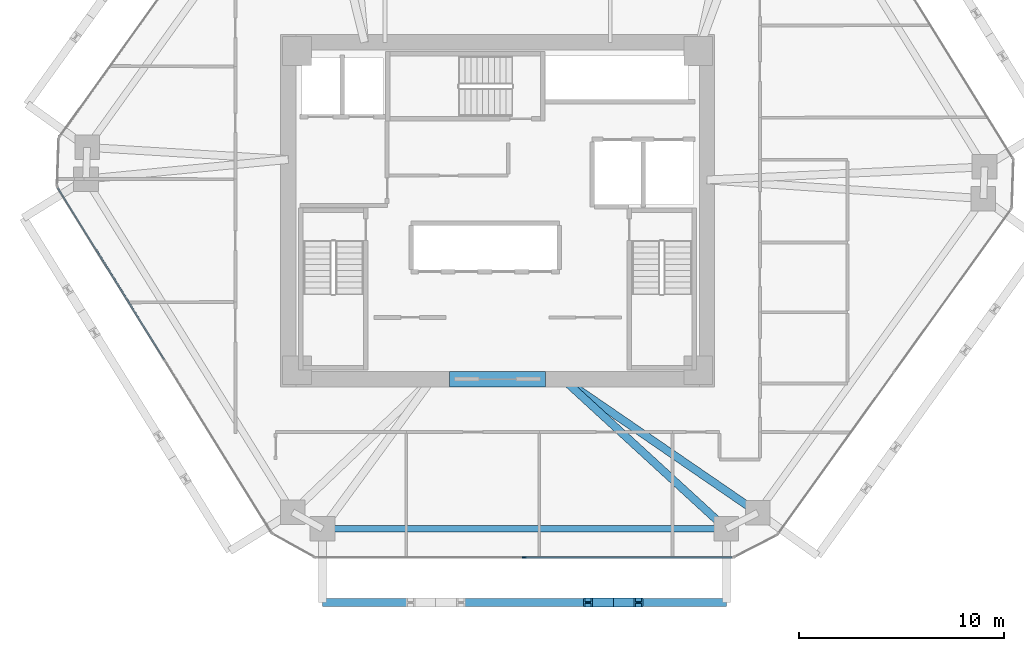
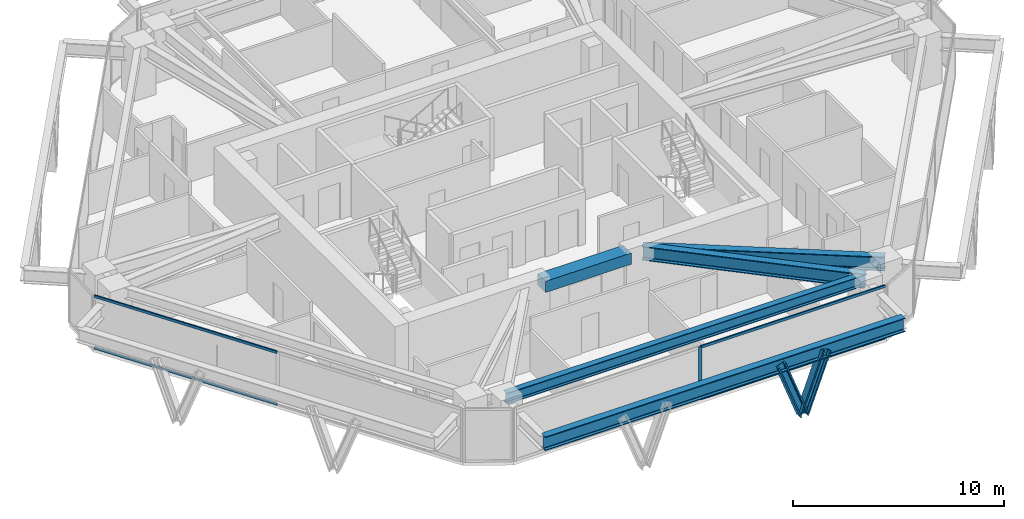
# One storey, part 3 of 14: 7 members, 5 beams, 2 elements without a shape of their own.
"""IFC4 building model written with IfcOpenShell, lengths in metres."""

from ifc_helpers import new_model, si_unit, direction, frame, origin, origin_2d, place, context, subcontext, project, spatial, rectangle, i_section, extrude, source, transform, mapped, material, layer, layer_set, material_profile, profile_set, type_object, type_shapes, element, aggregate, save


model = new_model("IFC4")

# Units and contexts
model_context = context("Model", 3, precision=1e-05, world=origin(), true_north=direction((0.0, 1.0)))
body_context = subcontext(model_context, "Body", "Model", "MODEL_VIEW")
ifc_project = project(units=[si_unit("LENGTHUNIT", "METRE"), si_unit("AREAUNIT", "SQUARE_METRE"), si_unit("VOLUMEUNIT", "CUBIC_METRE"), si_unit("PLANEANGLEUNIT", "RADIAN"), si_unit("MASSUNIT", "GRAM", prefix="KILO")], contexts=[model_context])

# Site, building, storey
site_placement = place(None, origin())
site = spatial("IfcSite", under=ifc_project, at=site_placement, CompositionType="ELEMENT")
building_placement = place(site_placement, origin())
building = spatial("IfcBuilding", under=site, at=building_placement, Name="Durnholm Broadcast Tower", CompositionType="ELEMENT")
storey_placement = place(building_placement, frame((0.0, 0.0, 114.0)))
storey = spatial("IfcBuildingStorey", under=building, at=storey_placement, Name="L30", CompositionType="ELEMENT", Elevation=114.0)

# Beams
ifc_material_1 = material(Name="Concrete C70/85", Category="concrete")
ifc_material_profile_1 = material_profile(ifc_material_1, rectangle(XDim=0.75, YDim=0.64990234375, at=origin_2d()), Name="RC750X650")
ifc_profile_set_1 = profile_set([ifc_material_profile_1], Name="Concrete C70/85")
beam_type_1 = type_object("IfcBeamType", Name="BM-CB-RC650", PredefinedType="LINTEL", material=ifc_profile_set_1)
shared_shape_1 = source(origin(), body_context, "Body", "SweptSolid", [
    extrude(rectangle(XDim=0.75, YDim=0.64990234375, at=origin_2d()), origin(), (0.0, 0.0, 1.0), 4.7001953125),
])
type_shapes(beam_type_1, [shared_shape_1])
beam_1_placement = place(storey_placement, frame((-2.35009765625, -8.22509765625, 2.72998046875), z_axis=(1.0, 0.0, 0.0), x_axis=(0.0, 1.0, 0.0)))
element("IfcBeam", 1, at=beam_1_placement, inside=storey, type_object=beam_type_1, Name="L30 south core coupling lintel beam CB-S", PredefinedType="LINTEL", context=body_context, shape_type="MappedRepresentation", body=[
    mapped(shared_shape_1, transform((0.0, 0.0, 0.0), x_axis=(1.0, 0.0, 0.0), y_axis=(0.0, 1.0, 0.0), z_axis=(0.0, 0.0, 1.0), scale=1.0)),
])
ifc_material_2 = material(Name="Steel ASTM A992 Grade 50", Category="steel")
ifc_material_profile_2 = material_profile(ifc_material_2, i_section(OverallWidth=0.3291015625, OverallDepth=0.635009765625, WebThickness=0.017822265625, FlangeThickness=0.031005859375, FilletRadius=0.02783203125, at=origin_2d()), Name="W24X162")
ifc_profile_set_2 = profile_set([ifc_material_profile_2], Name="Steel ASTM A992 Grade 50")
beam_type_2 = type_object("IfcBeamType", Name="STL-SP-W24X162", PredefinedType="SPANDREL", material=ifc_profile_set_2)
shared_shape_2 = source(origin(), body_context, "Body", "SweptSolid", [
    extrude(i_section(OverallWidth=0.3291015625, OverallDepth=0.635009765625, WebThickness=0.017822265625, FlangeThickness=0.031005859375, FilletRadius=0.02783203125, at=origin_2d()), origin(), (0.0, 0.0, 1.0), 19.72802734375),
])
type_shapes(beam_type_2, [shared_shape_2])
beam_2_placement = place(storey_placement, frame((11.176025390625, -15.537109375, 2.7275390625), z_axis=(-1.0, 0.0, 0.0), x_axis=(0.0, -1.0, 0.0)))
element("IfcBeam", 2, at=beam_2_placement, inside=storey, type_object=beam_type_2, Name="L30 perimeter spandrel girder 11", PredefinedType="SPANDREL", context=body_context, shape_type="MappedRepresentation", body=[
    mapped(shared_shape_2, transform((0.0, 0.0, 0.0), x_axis=(1.0, 0.0, 0.0), y_axis=(0.0, 1.0, 0.0), z_axis=(0.0, 0.0, 1.0), scale=1.0)),
])
ifc_material_profile_3 = material_profile(ifc_material_2, i_section(OverallWidth=0.385009765625, OverallDepth=0.802978515625, WebThickness=0.023681640625, FlangeThickness=0.0419921875, FilletRadius=0.032958984375, at=origin_2d()), Name="W30X261")
ifc_profile_set_3 = profile_set([ifc_material_profile_3], Name="Steel ASTM A992 Grade 50")
beam_type_3 = type_object("IfcBeamType", Name="STL-GR-W30X261", PredefinedType="USERDEFINED", material=ifc_profile_set_3)
shared_shape_3 = source(origin(), body_context, "Body", "SweptSolid", [
    extrude(i_section(OverallWidth=0.385009765625, OverallDepth=0.802978515625, WebThickness=0.023681640625, FlangeThickness=0.0419921875, FilletRadius=0.032958984375, at=origin_2d()), origin(), (0.0, 0.0, 1.0), 11.533447265625),
])
beam_3_placement = place(storey_placement, frame((3.199951171875, -8.22509765625, 2.6435546875), z_axis=(0.824567182461, -0.565764051181, 0.0), x_axis=(0.565764051181, 0.824567182461, 0.0)))
element("IfcBeam", 3, at=beam_3_placement, inside=storey, type_object=beam_type_3, Name="L30 radial primary floor girder 10", ObjectType="GIRDER", PredefinedType="USERDEFINED", context=body_context, shape_type="MappedRepresentation", body=[
    mapped(shared_shape_3, transform((0.0, 0.0, 0.0), x_axis=(1.0, 0.0, 0.0), y_axis=(0.0, 1.0, 0.0), z_axis=(0.0, 0.0, 1.0), scale=1.0)),
])
shared_shape_4 = source(origin(), body_context, "Body", "SweptSolid", [
    extrude(i_section(OverallWidth=0.385009765625, OverallDepth=0.802978515625, WebThickness=0.023681640625, FlangeThickness=0.0419921875, FilletRadius=0.032958984375, at=origin_2d()), origin(), (0.0, 0.0, 1.0), 10.820556640625),
])
type_shapes(beam_type_3, [shared_shape_3, shared_shape_4])
beam_4_placement = place(storey_placement, frame((3.199951171875, -8.22509765625, 2.6435546875), z_axis=(0.737126042516, -0.675755279258, 0.0), x_axis=(0.675755279258, 0.737126042516, 0.0)))
element("IfcBeam", 4, at=beam_4_placement, inside=storey, type_object=beam_type_3, Name="L30 radial primary floor girder 11", ObjectType="GIRDER", PredefinedType="USERDEFINED", context=body_context, shape_type="MappedRepresentation", body=[
    mapped(shared_shape_4, transform((0.0, 0.0, 0.0), x_axis=(1.0, 0.0, 0.0), y_axis=(0.0, 1.0, 0.0), z_axis=(0.0, 0.0, 1.0), scale=1.0)),
])
ifc_material_profile_4 = material_profile(ifc_material_2, i_section(OverallWidth=0.385009765625, OverallDepth=0.802978515625, WebThickness=0.023681640625, FlangeThickness=0.0419921875, FilletRadius=0.032958984375, at=origin_2d()), Name="W30X261")
ifc_profile_set_4 = profile_set([ifc_material_profile_4], Name="Steel ASTM A992 Grade 50")
beam_type_4 = type_object("IfcBeamType", Name="BM-EXO-TIE", PredefinedType="USERDEFINED", material=ifc_profile_set_4)
shared_shape_5 = source(origin(), body_context, "Body", "SweptSolid", [
    extrude(i_section(OverallWidth=0.385009765625, OverallDepth=0.802978515625, WebThickness=0.023681640625, FlangeThickness=0.0419921875, FilletRadius=0.032958984375, at=origin_2d()), origin(), (0.0, 0.0, 1.0), 19.72802734375),
])
type_shapes(beam_type_4, [shared_shape_5])
beam_5_placement = place(storey_placement, frame((-8.552001953125, -19.136962890625, 2.30859375), z_axis=(1.0, 0.0, 0.0), x_axis=(0.0, 1.0, 0.0)))
element("IfcBeam", 5, at=beam_5_placement, inside=storey, type_object=beam_type_4, Name="L30 exoskeleton collector spandrel F1", PredefinedType="SPANDREL", context=body_context, shape_type="MappedRepresentation", body=[
    mapped(shared_shape_5, transform((0.0, 0.0, 0.0), x_axis=(1.0, 0.0, 0.0), y_axis=(0.0, 1.0, 0.0), z_axis=(0.0, 0.0, 1.0), scale=1.0)),
])

# Members
ifc_material_3 = material(Name="Steel ASTM A913 Grade 65", Category="steel")
ifc_material_profile_5 = material_profile(ifc_material_3, i_section(OverallWidth=0.424072265625, OverallDepth=0.47412109375, WebThickness=0.047607421875, FlangeThickness=0.0771484375, FilletRadius=0.030517578125, at=origin_2d()), Name="W14X426")
ifc_profile_set_5 = profile_set([ifc_material_profile_5], Name="Steel ASTM A913 Grade 65")
member_type_1 = type_object("IfcMemberType", Name="STL-DG-W14X426", PredefinedType="BRACE", material=ifc_profile_set_5)
shared_shape_6 = source(origin(), body_context, "Body", "SweptSolid", [
    extrude(i_section(OverallWidth=0.424072265625, OverallDepth=0.47412109375, WebThickness=0.047607421875, FlangeThickness=0.0771484375, FilletRadius=0.030517578125, at=origin_2d()), origin(), (0.0, 0.0, 1.0), 3.523193359375),
])
type_shapes(member_type_1, [shared_shape_6])
for number, where, z_axis, x_axis, name in (
    (6, (5.65234375, -19.136962890625, -0.991455078125), (-0.350219588454, 0.0, 0.936667625075), (0.0, -1.0, 0.0), "L30 stand-off diagrid brace F1.D2.1"),
    (7, (5.65234375, -19.136962890625, -0.991455078125), (0.350158790071, 0.0, 0.936690355313), (0.0, 1.0, 0.0), "L30 stand-off diagrid brace F1.D2.2"),
):
    element("IfcMember", number, at=place(storey_placement, frame(where, z_axis=z_axis, x_axis=x_axis)), inside=storey, type_object=member_type_1, Name=name, PredefinedType="BRACE", context=body_context, shape_type="MappedRepresentation", body=[
        mapped(shared_shape_6, transform((0.0, 0.0, 0.0), x_axis=(1.0, 0.0, 0.0), y_axis=(0.0, 1.0, 0.0), z_axis=(0.0, 0.0, 1.0), scale=1.0)),
    ])

# Curtain wall, members
ifc_material_4 = material(Name="Aluminium and Solar Control IGU", Category="aluminium")
ifc_layer = layer(ifc_material_4, 0.18994140625)
ifc_layer_set = layer_set([ifc_layer], Name="Aluminium and Solar Control IGU")
curtain_wall_type = type_object("IfcCurtainWallType", Name="CW-SYS-3", PredefinedType="NOTDEFINED", material=ifc_layer_set)
curtain_wall_1_placement = place(storey_placement, origin())
curtain_wall_1 = element("IfcCurtainWall", 8, at=curtain_wall_1_placement, inside=storey, type_object=curtain_wall_type, Name="L30 curtain wall CW-Z12-VIS CW-L30-F10", PredefinedType="NOTDEFINED")
ifc_material_5 = material(Name="Aluminium 6063-T6", Category="aluminium")
ifc_material_profile_6 = material_profile(ifc_material_5, rectangle(XDim=0.070068359375, YDim=0.18994140625, at=origin_2d()), Name="CWM70X190")
ifc_profile_set_6 = profile_set([ifc_material_profile_6], Name="Aluminium 6063-T6")
member_type_2 = type_object("IfcMemberType", Name="CW-SYS-3-MUL", PredefinedType="MULLION", material=ifc_profile_set_6)
shared_shape_7 = source(origin(), body_context, "Body", "SweptSolid", [
    extrude(rectangle(XDim=0.070068359375, YDim=0.18994140625, at=origin_2d()), origin(), (0.0, 0.0, 1.0), 3.06005859375),
])
type_shapes(member_type_2, [shared_shape_7])
member_1_placement = place(storey_placement, frame((1.299560546875, -16.93701171875, 0.0), z_axis=(0.0, 0.0, 1.0), x_axis=(0.0, -1.0, 0.0)))
member_1 = element("IfcMember", 9, at=member_1_placement, type_object=member_type_2, Name="CW-Z12-VIS mullion 2", PredefinedType="MULLION", context=body_context, shape_type="MappedRepresentation", body=[
    mapped(shared_shape_7, transform((0.0, 0.0, 0.0), x_axis=(1.0, 0.0, 0.0), y_axis=(0.0, 1.0, 0.0), z_axis=(0.0, 0.0, 1.0), scale=1.0)),
])
ifc_material_profile_7 = material_profile(ifc_material_5, rectangle(XDim=0.070068359375, YDim=0.14990234375, at=origin_2d()), Name="CWT70X150")
ifc_profile_set_7 = profile_set([ifc_material_profile_7], Name="Aluminium 6063-T6")
member_type_3 = type_object("IfcMemberType", Name="CW-SYS-3-TRN", PredefinedType="USERDEFINED", material=ifc_profile_set_7)
shared_shape_8 = source(origin(), body_context, "Body", "SweptSolid", [
    extrude(rectangle(XDim=0.070068359375, YDim=0.14990234375, at=origin_2d()), origin(), (0.0, 0.0, 1.0), 10.109619140625),
])
member_2_placement = place(storey_placement, frame((11.444091796875, -16.93701171875, 0.034912109375), z_axis=(-1.0, 0.0, 0.0), x_axis=(0.0, -1.0, 0.0)))
member_2 = element("IfcMember", 10, at=member_2_placement, type_object=member_type_3, Name="CW-Z12-VIS transom 1.1", ObjectType="TRANSOM", PredefinedType="USERDEFINED", context=body_context, shape_type="MappedRepresentation", body=[
    mapped(shared_shape_8, transform((0.0, 0.0, 0.0), x_axis=(1.0, 0.0, 0.0), y_axis=(0.0, 1.0, 0.0), z_axis=(0.0, 0.0, 1.0), scale=1.0)),
])
member_3_placement = place(storey_placement, frame((11.444091796875, -16.93701171875, 3.02490234375), z_axis=(-1.0, 0.0, 0.0), x_axis=(0.0, -1.0, 0.0)))
member_3 = element("IfcMember", 11, at=member_3_placement, type_object=member_type_3, Name="CW-Z12-VIS transom 1.2", ObjectType="TRANSOM", PredefinedType="USERDEFINED", context=body_context, shape_type="MappedRepresentation", body=[
    mapped(shared_shape_8, transform((0.0, 0.0, 0.0), x_axis=(1.0, 0.0, 0.0), y_axis=(0.0, 1.0, 0.0), z_axis=(0.0, 0.0, 1.0), scale=1.0)),
])
aggregate(curtain_wall_1, [member_1, member_2, member_3])

curtain_wall_2_placement = place(storey_placement, origin())
curtain_wall_2 = element("IfcCurtainWall", 12, at=curtain_wall_2_placement, inside=storey, type_object=curtain_wall_type, Name="L30 curtain wall CW-Z12-VIS CW-L30-F12", PredefinedType="NOTDEFINED")
shared_shape_9 = source(origin(), body_context, "Body", "SweptSolid", [
    extrude(rectangle(XDim=0.070068359375, YDim=0.14990234375, at=origin_2d()), origin(), (0.0, 0.0, 1.0), 9.85888671875),
])
type_shapes(member_type_3, [shared_shape_8, shared_shape_9])
member_4_placement = place(storey_placement, frame((-16.28271484375, -7.27294921875, 0.034912109375), z_axis=(-0.527119964735, 0.849790881793, 0.0), x_axis=(-0.849790881793, -0.527119964735, 0.0)))
member_4 = element("IfcMember", 13, at=member_4_placement, type_object=member_type_3, Name="CW-Z12-VIS transom 2.1", ObjectType="TRANSOM", PredefinedType="USERDEFINED", context=body_context, shape_type="MappedRepresentation", body=[
    mapped(shared_shape_9, transform((0.0, 0.0, 0.0), x_axis=(1.0, 0.0, 0.0), y_axis=(0.0, 1.0, 0.0), z_axis=(0.0, 0.0, 1.0), scale=1.0)),
])
member_5_placement = place(storey_placement, frame((-16.28271484375, -7.27294921875, 3.02490234375), z_axis=(-0.527119964735, 0.849790881793, 0.0), x_axis=(-0.849790881793, -0.527119964735, 0.0)))
member_5 = element("IfcMember", 14, at=member_5_placement, type_object=member_type_3, Name="CW-Z12-VIS transom 2.2", ObjectType="TRANSOM", PredefinedType="USERDEFINED", context=body_context, shape_type="MappedRepresentation", body=[
    mapped(shared_shape_9, transform((0.0, 0.0, 0.0), x_axis=(1.0, 0.0, 0.0), y_axis=(0.0, 1.0, 0.0), z_axis=(0.0, 0.0, 1.0), scale=1.0)),
])
aggregate(curtain_wall_2, [member_4, member_5])

save(model, "model.ifc")
